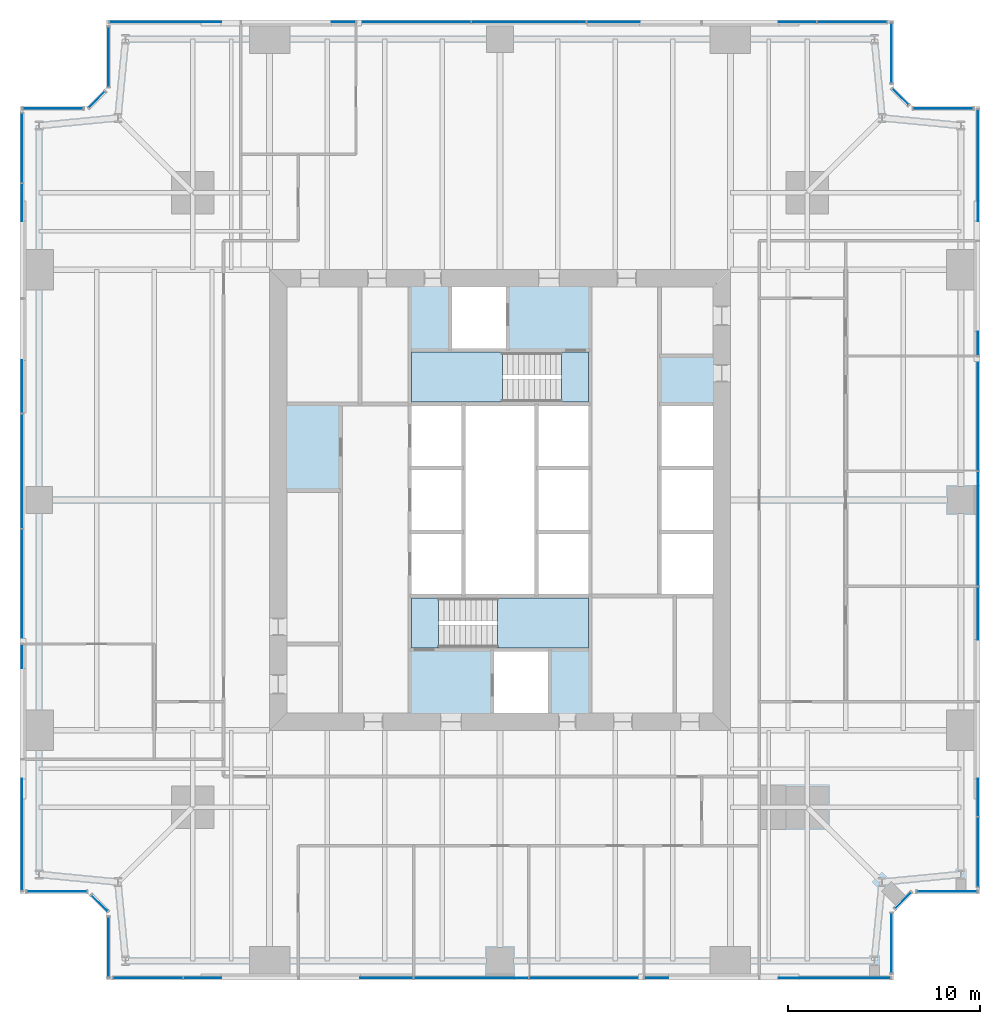
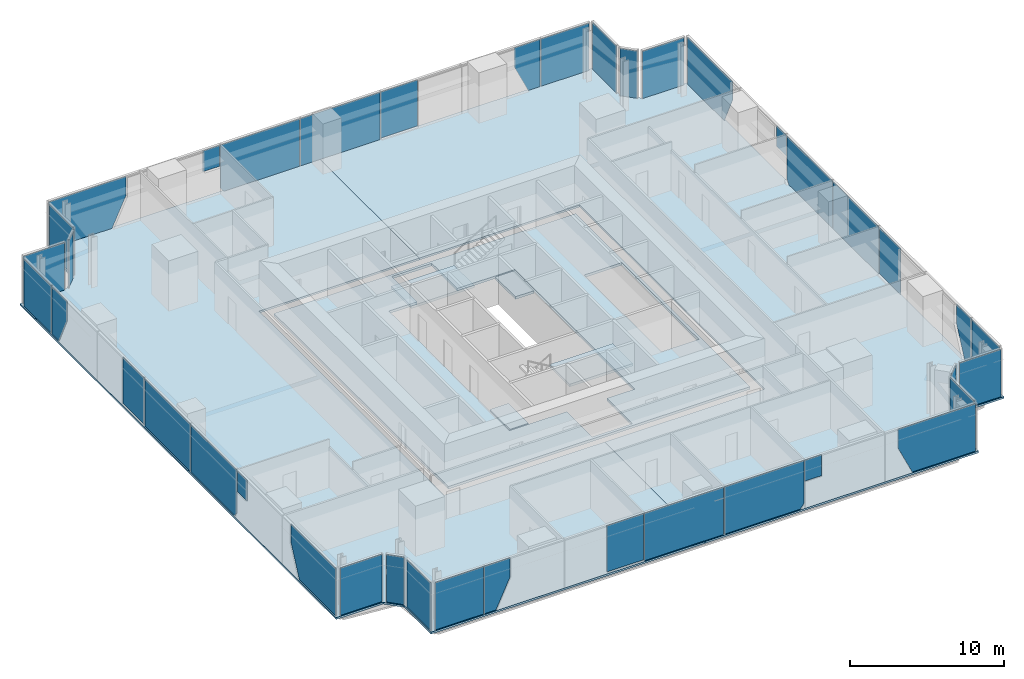
# One storey, part 8 of 13: 40 plates, 7 slabs, 18 elements without a shape of their own.
"""IFC4 building model written with IfcOpenShell, lengths in metres."""

from ifc_helpers import new_model, si_unit, direction, frame, origin, origin_2d, place, context, subcontext, project, spatial, polyline, rectangle, outline, extrude, material, layer, layer_set, type_object, element, aggregate, save


model = new_model("IFC4")

# Units and contexts
model_context = context("Model", 3, precision=1e-05, world=origin(), true_north=direction((0.0, 1.0)))
body_context = subcontext(model_context, "Body", "Model", "MODEL_VIEW")
ifc_project = project(units=[si_unit("LENGTHUNIT", "METRE"), si_unit("AREAUNIT", "SQUARE_METRE"), si_unit("VOLUMEUNIT", "CUBIC_METRE"), si_unit("PLANEANGLEUNIT", "RADIAN"), si_unit("MASSUNIT", "GRAM", prefix="KILO")], contexts=[model_context])

# Site, building, storey
site_placement = place(None, origin())
site = spatial("IfcSite", under=ifc_project, at=site_placement, CompositionType="ELEMENT")
building_placement = place(site_placement, origin())
building = spatial("IfcBuilding", under=site, at=building_placement, Name="Fenwick Lantern Interchange", CompositionType="ELEMENT")
storey_placement = place(building_placement, frame((0.0, 0.0, 126.39990234375)))
storey = spatial("IfcBuildingStorey", under=building, at=storey_placement, Name="L29", CompositionType="ELEMENT", Elevation=126.39990234375)

# Slabs
ifc_material_1 = material(Name="Concrete f'c 35 MPa", Category="concrete")
ifc_layer_1 = layer(ifc_material_1, 0.199951171875)
ifc_layer_set_1 = layer_set([ifc_layer_1], Name="CORE FLOOR SLAB 200")
slab_type_1 = type_object("IfcSlabType", Name="CORE FLOOR SLAB 200", PredefinedType="FLOOR", material=ifc_layer_set_1)
slab_1_placement = place(storey_placement, frame((0.0, 0.0, -0.199951171875)))
element("IfcSlab", 1, at=slab_1_placement, inside=storey, type_object=slab_type_1, Name="L29/SLAB/CORE", PredefinedType="FLOOR", context=body_context, shape_type="SweptSolid", body=[
    extrude(outline(polyline([(13.699951171875, 36.300048828125), (36.300048828125, 36.300048828125), (36.300048828125, 13.699951171875), (13.699951171875, 13.699951171875), (13.699951171875, 36.300048828125)]), holes=[polyline([(29.699951171875, 17.199951171875), (29.699951171875, 20.0), (29.699951171875, 23.333251953125), (29.699951171875, 26.666748046875), (29.699951171875, 30.0), (29.699951171875, 32.800048828125), (25.39990234375, 32.800048828125), (25.39990234375, 36.10009765625), (22.39990234375, 36.10009765625), (22.39990234375, 32.800048828125), (20.300048828125, 32.800048828125), (20.300048828125, 30.0), (20.300048828125, 26.666748046875), (20.300048828125, 23.333251953125), (20.300048828125, 20.0), (20.300048828125, 17.199951171875), (24.60009765625, 17.199951171875), (24.60009765625, 13.89990234375), (27.60009765625, 13.89990234375), (27.60009765625, 17.199951171875), (29.699951171875, 17.199951171875)]), polyline([(33.300048828125, 23.333251953125), (33.300048828125, 20.0), (36.10009765625, 20.0), (36.10009765625, 23.333251953125), (36.10009765625, 26.666748046875), (36.10009765625, 30.0), (33.300048828125, 30.0), (33.300048828125, 26.666748046875), (33.300048828125, 23.333251953125)])]), origin(), (0.0, 0.0, 1.0), 0.199951171875),
])
ifc_material_2 = material(Name="Concrete f'c 35 MPa", Category="concrete")
ifc_layer_2 = layer(ifc_material_2, 0.14990234375)
ifc_layer_set_2 = layer_set([ifc_layer_2], Name="Concrete f'c 35 MPa")
slab_type_2 = type_object("IfcSlabType", Name="FLOOR SLAB 150", PredefinedType="FLOOR", material=ifc_layer_set_2)
slab_2_placement = place(storey_placement, frame((0.0, 0.0, -0.14990234375)))
element("IfcSlab", 2, at=slab_2_placement, inside=storey, type_object=slab_type_2, Name="L29/SLAB/FW", PredefinedType="FLOOR", context=body_context, shape_type="SweptSolid", body=[
    extrude(outline(polyline([(4.5, 0.0), (4.5, 3.5), (3.5, 4.5), (0.0, 4.5), (0.0, 45.5), (3.5, 45.5), (4.5, 46.5), (4.5, 50.0), (25.0, 50.0), (25.0, 37.0), (13.0, 37.0), (13.0, 13.0), (25.0, 13.0), (25.0, 0.0), (4.5, 0.0)])), origin(), (0.0, 0.0, 1.0), 0.14990234375),
])
slab_3_placement = place(storey_placement, frame((0.0, 0.0, -0.14990234375)))
element("IfcSlab", 3, at=slab_3_placement, inside=storey, type_object=slab_type_2, Name="L29/SLAB/FE", PredefinedType="FLOOR", context=body_context, shape_type="SweptSolid", body=[
    extrude(outline(polyline([(45.5, 50.0), (45.5, 46.5), (46.5, 45.5), (50.0, 45.5), (50.0, 4.5), (46.5, 4.5), (45.5, 3.5), (45.5, 0.0), (25.0, 0.0), (25.0, 13.0), (37.0, 13.0), (37.0, 37.0), (25.0, 37.0), (25.0, 50.0), (45.5, 50.0)])), origin(), (0.0, 0.0, 1.0), 0.14990234375),
])

# Curtain wall, plates
ifc_material_3 = material(Name="Aluminium curtain wall frame", Category="aluminium")
curtain_wall_type = type_object("IfcCurtainWallType", Name="OFFICE CURTAIN WALL", PredefinedType="USERDEFINED", material=ifc_material_3)
curtain_wall_1_placement = place(storey_placement, origin())
curtain_wall_1 = element("IfcCurtainWall", 4, at=curtain_wall_1_placement, inside=storey, type_object=curtain_wall_type, Name="Office curtain wall 01", ObjectType="OFFICE CURTAIN WALL", PredefinedType="USERDEFINED")
ifc_material_4 = material(Name="Vision glass, clear low-iron double glazed", Category="glass")
ifc_layer_3 = layer(ifc_material_4, 0.031982421875)
ifc_layer_set_3 = layer_set([ifc_layer_3], Name="OFFICE CURTAIN WALL PANEL 32")
plate_type = type_object("IfcPlateType", Name="OFFICE CURTAIN WALL PANEL 32", PredefinedType="CURTAIN_PANEL", material=ifc_layer_set_3)
plate_1_placement = place(storey_placement, frame((6.666259765625, 0.10009765625, 0.0), z_axis=(0.0, 0.0, 1.0), x_axis=(1.0, 0.0, 0.0)))
plate_1 = element("IfcPlate", 5, at=plate_1_placement, type_object=plate_type, Name="L29/CW/01/P00", PredefinedType="CURTAIN_PANEL", context=body_context, shape_type="SweptSolid", body=[
    extrude(rectangle(XDim=3.6025390625, YDim=0.031982421875, at=origin_2d()), origin(), (0.0, 0.0, 1.0), 3.75),
])
plate_2_placement = place(storey_placement, frame((4.60009765625, 0.10009765625, 0.0), z_axis=(0.0, 0.0, 1.0), x_axis=(1.0, 0.0, 0.0)))
plate_2 = element("IfcPlate", 6, at=plate_2_placement, type_object=plate_type, Name="L29/CW/01/P01a", PredefinedType="CURTAIN_PANEL", context=body_context, shape_type="SweptSolid", body=[
    extrude(outline(polyline([(3.9326171875, 0.0), (4.821044921875, 0.0), (5.8798828125, 2.259033203125), (5.8798828125, 3.75), (3.9326171875, 3.75), (3.9326171875, 0.0)])), frame((0.0, 0.01611328125, 0.0), z_axis=(0.0, -1.0, 0.0), x_axis=(1.0, 0.0, 0.0)), (0.0, 0.0, 1.0), 0.031982421875),
])
plate_3_placement = place(storey_placement, frame((4.60009765625, 0.10009765625, 0.093994140625), z_axis=(0.0, 0.0, 1.0), x_axis=(1.0, 0.0, 0.0)))
plate_3 = element("IfcPlate", 7, at=plate_3_placement, type_object=plate_type, Name="L29/CW/01/P02a", PredefinedType="CURTAIN_PANEL", context=body_context, shape_type="SweptSolid", body=[
    extrude(outline(polyline([(13.125, 0.0), (15.867431640625, 0.0), (15.867431640625, 3.656005859375), (13.125, 3.656005859375), (13.125, 0.0)])), frame((0.0, 0.01611328125, 0.0), z_axis=(0.0, -1.0, 0.0), x_axis=(1.0, 0.0, 0.0)), (0.0, 0.0, 1.0), 0.031982421875),
])
plate_4_placement = place(storey_placement, frame((23.5, 0.10009765625, 0.0), z_axis=(0.0, 0.0, 1.0), x_axis=(1.0, 0.0, 0.0)))
plate_4 = element("IfcPlate", 8, at=plate_4_placement, type_object=plate_type, Name="L29/CW/01/P03", PredefinedType="CURTAIN_PANEL", context=body_context, shape_type="SweptSolid", body=[
    extrude(rectangle(XDim=5.93505859375, YDim=0.031982421875, at=origin_2d()), origin(), (0.0, 0.0, 1.0), 3.75),
])
plate_5_placement = place(storey_placement, frame((4.60009765625, 0.10009765625, 0.0), z_axis=(0.0, 0.0, 1.0), x_axis=(1.0, 0.0, 0.0)))
plate_5 = element("IfcPlate", 9, at=plate_5_placement, type_object=plate_type, Name="L29/CW/01/P04a", PredefinedType="CURTAIN_PANEL", context=body_context, shape_type="SweptSolid", body=[
    extrude(outline(polyline([(21.9326171875, 0.0), (27.6044921875, 0.0), (27.867431640625, 0.350830078125), (27.867431640625, 3.75), (21.9326171875, 3.75), (21.9326171875, 0.0)])), frame((0.0, 0.01611328125, 0.0), z_axis=(0.0, -1.0, 0.0), x_axis=(1.0, 0.0, 0.0)), (0.0, 0.0, 1.0), 0.031982421875),
])
plate_6_placement = place(storey_placement, frame((4.60009765625, 0.10009765625, 2.0908203125), z_axis=(0.0, 0.0, 1.0), x_axis=(1.0, 0.0, 0.0)))
plate_6 = element("IfcPlate", 10, at=plate_6_placement, type_object=plate_type, Name="L29/CW/01/P05a", PredefinedType="CURTAIN_PANEL", context=body_context, shape_type="SweptSolid", body=[
    extrude(outline(polyline([(27.9326171875, 0.0), (29.172607421875, 0.0), (29.172607421875, 1.6591796875), (27.9326171875, 1.6591796875), (27.9326171875, 0.0)])), frame((0.0, 0.01611328125, 0.0), z_axis=(0.0, -1.0, 0.0), x_axis=(1.0, 0.0, 0.0)), (0.0, 0.0, 1.0), 0.031982421875),
])
plate_7_placement = place(storey_placement, frame((4.60009765625, 0.10009765625, 0.0), z_axis=(0.0, 0.0, 1.0), x_axis=(1.0, 0.0, 0.0)))
plate_7 = element("IfcPlate", 11, at=plate_7_placement, type_object=plate_type, Name="L29/CW/01/P06a", PredefinedType="CURTAIN_PANEL", context=body_context, shape_type="SweptSolid", body=[
    extrude(outline(polyline([(35.978759765625, 0.0), (40.735107421875, 0.0), (40.735107421875, 3.75), (34.919921875, 3.75), (34.919921875, 2.259033203125), (35.978759765625, 0.0)])), frame((0.0, 0.01611328125, 0.0), z_axis=(0.0, -1.0, 0.0), x_axis=(1.0, 0.0, 0.0)), (0.0, 0.0, 1.0), 0.031982421875),
])
aggregate(curtain_wall_1, [plate_1, plate_2, plate_3, plate_4, plate_5, plate_6, plate_7])

# Curtain wall, plate
curtain_wall_2_placement = place(storey_placement, origin())
curtain_wall_2 = element("IfcCurtainWall", 12, at=curtain_wall_2_placement, inside=storey, type_object=curtain_wall_type, Name="Office curtain wall 02", ObjectType="OFFICE CURTAIN WALL", PredefinedType="USERDEFINED")
plate_8_placement = place(storey_placement, frame((45.39990234375, 1.920654296875, 0.0), z_axis=(0.0, 0.0, 1.0), x_axis=(0.0, 1.0, 0.0)))
plate_8 = element("IfcPlate", 13, at=plate_8_placement, type_object=plate_type, Name="L29/CW/02/P00", PredefinedType="CURTAIN_PANEL", context=body_context, shape_type="SweptSolid", body=[
    extrude(rectangle(XDim=3.111328125, YDim=0.031982421875, at=origin_2d()), origin(), (0.0, 0.0, 1.0), 3.75),
])
aggregate(curtain_wall_2, [plate_8])

curtain_wall_3_placement = place(storey_placement, origin())
curtain_wall_3 = element("IfcCurtainWall", 14, at=curtain_wall_3_placement, inside=storey, type_object=curtain_wall_type, Name="Office curtain wall 03", ObjectType="OFFICE CURTAIN WALL", PredefinedType="USERDEFINED")
plate_9_placement = place(storey_placement, frame((46.0, 4.141357421875, 0.0), z_axis=(0.0, 0.0, 1.0), x_axis=(0.707106781187, 0.707106781187, 0.0)))
plate_9 = element("IfcPlate", 15, at=plate_9_placement, type_object=plate_type, Name="L29/CW/03/P00", PredefinedType="CURTAIN_PANEL", context=body_context, shape_type="SweptSolid", body=[
    extrude(rectangle(XDim=1.1669921875, YDim=0.031982421875, at=origin_2d()), origin(), (0.0, 0.0, 1.0), 3.75),
])
aggregate(curtain_wall_3, [plate_9])

curtain_wall_4_placement = place(storey_placement, origin())
curtain_wall_4 = element("IfcCurtainWall", 16, at=curtain_wall_4_placement, inside=storey, type_object=curtain_wall_type, Name="Office curtain wall 04", ObjectType="OFFICE CURTAIN WALL", PredefinedType="USERDEFINED")
plate_10_placement = place(storey_placement, frame((48.279296875, 4.60009765625, 0.0), z_axis=(0.0, 0.0, 1.0), x_axis=(1.0, 0.0, 0.0)))
plate_10 = element("IfcPlate", 17, at=plate_10_placement, type_object=plate_type, Name="L29/CW/04/P00", PredefinedType="CURTAIN_PANEL", context=body_context, shape_type="SweptSolid", body=[
    extrude(rectangle(XDim=3.111328125, YDim=0.031982421875, at=origin_2d()), origin(), (0.0, 0.0, 1.0), 3.75),
])
aggregate(curtain_wall_4, [plate_10])

# Curtain wall, plates
curtain_wall_5_placement = place(storey_placement, origin())
curtain_wall_5 = element("IfcCurtainWall", 18, at=curtain_wall_5_placement, inside=storey, type_object=curtain_wall_type, Name="Office curtain wall 05", ObjectType="OFFICE CURTAIN WALL", PredefinedType="USERDEFINED")
plate_11_placement = place(storey_placement, frame((49.89990234375, 6.666259765625, 0.0), z_axis=(0.0, 0.0, 1.0), x_axis=(0.0, 1.0, 0.0)))
plate_11 = element("IfcPlate", 19, at=plate_11_placement, type_object=plate_type, Name="L29/CW/05/P00", PredefinedType="CURTAIN_PANEL", context=body_context, shape_type="SweptSolid", body=[
    extrude(rectangle(XDim=3.6025390625, YDim=0.031982421875, at=origin_2d()), origin(), (0.0, 0.0, 1.0), 3.75),
])
plate_12_placement = place(storey_placement, frame((49.89990234375, 4.60009765625, 0.0), z_axis=(0.0, 0.0, 1.0), x_axis=(0.0, 1.0, 0.0)))
plate_12 = element("IfcPlate", 20, at=plate_12_placement, type_object=plate_type, Name="L29/CW/05/P01a", PredefinedType="CURTAIN_PANEL", context=body_context, shape_type="SweptSolid", body=[
    extrude(outline(polyline([(3.9326171875, 0.0), (4.821044921875, 0.0), (5.8798828125, 2.259033203125), (5.8798828125, 3.75), (3.9326171875, 3.75), (3.9326171875, 0.0)])), frame((0.0, 0.01611328125, 0.0), z_axis=(0.0, -1.0, 0.0), x_axis=(1.0, 0.0, 0.0)), (0.0, 0.0, 1.0), 0.031982421875),
])
plate_13_placement = place(storey_placement, frame((49.89990234375, 4.60009765625, 0.093994140625), z_axis=(0.0, 0.0, 1.0), x_axis=(0.0, 1.0, 0.0)))
plate_13 = element("IfcPlate", 21, at=plate_13_placement, type_object=plate_type, Name="L29/CW/05/P02a", PredefinedType="CURTAIN_PANEL", context=body_context, shape_type="SweptSolid", body=[
    extrude(outline(polyline([(13.125, 0.0), (15.867431640625, 0.0), (15.867431640625, 3.656005859375), (13.125, 3.656005859375), (13.125, 0.0)])), frame((0.0, 0.01611328125, 0.0), z_axis=(0.0, -1.0, 0.0), x_axis=(1.0, 0.0, 0.0)), (0.0, 0.0, 1.0), 0.031982421875),
])
plate_14_placement = place(storey_placement, frame((49.89990234375, 23.5, 0.0), z_axis=(0.0, 0.0, 1.0), x_axis=(0.0, 1.0, 0.0)))
plate_14 = element("IfcPlate", 22, at=plate_14_placement, type_object=plate_type, Name="L29/CW/05/P03", PredefinedType="CURTAIN_PANEL", context=body_context, shape_type="SweptSolid", body=[
    extrude(rectangle(XDim=5.93505859375, YDim=0.031982421875, at=origin_2d()), origin(), (0.0, 0.0, 1.0), 3.75),
])
plate_15_placement = place(storey_placement, frame((49.89990234375, 4.60009765625, 0.0), z_axis=(0.0, 0.0, 1.0), x_axis=(0.0, 1.0, 0.0)))
plate_15 = element("IfcPlate", 23, at=plate_15_placement, type_object=plate_type, Name="L29/CW/05/P04a", PredefinedType="CURTAIN_PANEL", context=body_context, shape_type="SweptSolid", body=[
    extrude(outline(polyline([(21.9326171875, 0.0), (27.6044921875, 0.0), (27.867431640625, 0.350830078125), (27.867431640625, 3.75), (21.9326171875, 3.75), (21.9326171875, 0.0)])), frame((0.0, 0.01611328125, 0.0), z_axis=(0.0, -1.0, 0.0), x_axis=(1.0, 0.0, 0.0)), (0.0, 0.0, 1.0), 0.031982421875),
])
plate_16_placement = place(storey_placement, frame((49.89990234375, 4.60009765625, 2.0908203125), z_axis=(0.0, 0.0, 1.0), x_axis=(0.0, 1.0, 0.0)))
plate_16 = element("IfcPlate", 24, at=plate_16_placement, type_object=plate_type, Name="L29/CW/05/P05a", PredefinedType="CURTAIN_PANEL", context=body_context, shape_type="SweptSolid", body=[
    extrude(outline(polyline([(27.9326171875, 0.0), (29.172607421875, 0.0), (29.172607421875, 1.6591796875), (27.9326171875, 1.6591796875), (27.9326171875, 0.0)])), frame((0.0, 0.01611328125, 0.0), z_axis=(0.0, -1.0, 0.0), x_axis=(1.0, 0.0, 0.0)), (0.0, 0.0, 1.0), 0.031982421875),
])
plate_17_placement = place(storey_placement, frame((49.89990234375, 4.60009765625, 0.0), z_axis=(0.0, 0.0, 1.0), x_axis=(0.0, 1.0, 0.0)))
plate_17 = element("IfcPlate", 25, at=plate_17_placement, type_object=plate_type, Name="L29/CW/05/P06a", PredefinedType="CURTAIN_PANEL", context=body_context, shape_type="SweptSolid", body=[
    extrude(outline(polyline([(35.978759765625, 0.0), (40.735107421875, 0.0), (40.735107421875, 3.75), (34.919921875, 3.75), (34.919921875, 2.259033203125), (35.978759765625, 0.0)])), frame((0.0, 0.01611328125, 0.0), z_axis=(0.0, -1.0, 0.0), x_axis=(1.0, 0.0, 0.0)), (0.0, 0.0, 1.0), 0.031982421875),
])
aggregate(curtain_wall_5, [plate_11, plate_12, plate_13, plate_14, plate_15, plate_16, plate_17])

# Curtain wall, plate
curtain_wall_6_placement = place(storey_placement, origin())
curtain_wall_6 = element("IfcCurtainWall", 26, at=curtain_wall_6_placement, inside=storey, type_object=curtain_wall_type, Name="Office curtain wall 06", ObjectType="OFFICE CURTAIN WALL", PredefinedType="USERDEFINED")
plate_18_placement = place(storey_placement, frame((48.079345703125, 45.39990234375, 0.0), z_axis=(0.0, 0.0, 1.0), x_axis=(-1.0, 0.0, 0.0)))
plate_18 = element("IfcPlate", 27, at=plate_18_placement, type_object=plate_type, Name="L29/CW/06/P00", PredefinedType="CURTAIN_PANEL", context=body_context, shape_type="SweptSolid", body=[
    extrude(rectangle(XDim=3.111328125, YDim=0.031982421875, at=origin_2d()), origin(), (0.0, 0.0, 1.0), 3.75),
])
aggregate(curtain_wall_6, [plate_18])

curtain_wall_7_placement = place(storey_placement, origin())
curtain_wall_7 = element("IfcCurtainWall", 28, at=curtain_wall_7_placement, inside=storey, type_object=curtain_wall_type, Name="Office curtain wall 07", ObjectType="OFFICE CURTAIN WALL", PredefinedType="USERDEFINED")
plate_19_placement = place(storey_placement, frame((45.858642578125, 46.0, 0.0), z_axis=(0.0, 0.0, 1.0), x_axis=(-0.707106781187, 0.707106781187, 0.0)))
plate_19 = element("IfcPlate", 29, at=plate_19_placement, type_object=plate_type, Name="L29/CW/07/P00", PredefinedType="CURTAIN_PANEL", context=body_context, shape_type="SweptSolid", body=[
    extrude(rectangle(XDim=1.1669921875, YDim=0.031982421875, at=origin_2d()), origin(), (0.0, 0.0, 1.0), 3.75),
])
aggregate(curtain_wall_7, [plate_19])

curtain_wall_8_placement = place(storey_placement, origin())
curtain_wall_8 = element("IfcCurtainWall", 30, at=curtain_wall_8_placement, inside=storey, type_object=curtain_wall_type, Name="Office curtain wall 08", ObjectType="OFFICE CURTAIN WALL", PredefinedType="USERDEFINED")
plate_20_placement = place(storey_placement, frame((45.39990234375, 48.279296875, 0.0), z_axis=(0.0, 0.0, 1.0), x_axis=(0.0, 1.0, 0.0)))
plate_20 = element("IfcPlate", 31, at=plate_20_placement, type_object=plate_type, Name="L29/CW/08/P00", PredefinedType="CURTAIN_PANEL", context=body_context, shape_type="SweptSolid", body=[
    extrude(rectangle(XDim=3.111328125, YDim=0.031982421875, at=origin_2d()), origin(), (0.0, 0.0, 1.0), 3.75),
])
aggregate(curtain_wall_8, [plate_20])

# Curtain wall, plates
curtain_wall_9_placement = place(storey_placement, origin())
curtain_wall_9 = element("IfcCurtainWall", 32, at=curtain_wall_9_placement, inside=storey, type_object=curtain_wall_type, Name="Office curtain wall 09", ObjectType="OFFICE CURTAIN WALL", PredefinedType="USERDEFINED")
plate_21_placement = place(storey_placement, frame((43.333740234375, 49.89990234375, 0.0), z_axis=(0.0, 0.0, 1.0), x_axis=(-1.0, 0.0, 0.0)))
plate_21 = element("IfcPlate", 33, at=plate_21_placement, type_object=plate_type, Name="L29/CW/09/P00", PredefinedType="CURTAIN_PANEL", context=body_context, shape_type="SweptSolid", body=[
    extrude(rectangle(XDim=3.6025390625, YDim=0.031982421875, at=origin_2d()), origin(), (0.0, 0.0, 1.0), 3.75),
])
plate_22_placement = place(storey_placement, frame((45.39990234375, 49.89990234375, 0.0), z_axis=(0.0, 0.0, 1.0), x_axis=(-1.0, 0.0, 0.0)))
plate_22 = element("IfcPlate", 34, at=plate_22_placement, type_object=plate_type, Name="L29/CW/09/P01a", PredefinedType="CURTAIN_PANEL", context=body_context, shape_type="SweptSolid", body=[
    extrude(outline(polyline([(3.9326171875, 0.0), (4.821044921875, 0.0), (5.8798828125, 2.259033203125), (5.8798828125, 3.75), (3.9326171875, 3.75), (3.9326171875, 0.0)])), frame((0.0, 0.01611328125, 0.0), z_axis=(0.0, -1.0, 0.0), x_axis=(1.0, 0.0, 0.0)), (0.0, 0.0, 1.0), 0.031982421875),
])
plate_23_placement = place(storey_placement, frame((45.39990234375, 49.89990234375, 0.093994140625), z_axis=(0.0, 0.0, 1.0), x_axis=(-1.0, 0.0, 0.0)))
plate_23 = element("IfcPlate", 35, at=plate_23_placement, type_object=plate_type, Name="L29/CW/09/P02a", PredefinedType="CURTAIN_PANEL", context=body_context, shape_type="SweptSolid", body=[
    extrude(outline(polyline([(13.125, 0.0), (15.867431640625, 0.0), (15.867431640625, 3.656005859375), (13.125, 3.656005859375), (13.125, 0.0)])), frame((0.0, 0.01611328125, 0.0), z_axis=(0.0, -1.0, 0.0), x_axis=(1.0, 0.0, 0.0)), (0.0, 0.0, 1.0), 0.031982421875),
])
plate_24_placement = place(storey_placement, frame((26.5, 49.89990234375, 0.0), z_axis=(0.0, 0.0, 1.0), x_axis=(-1.0, 0.0, 0.0)))
plate_24 = element("IfcPlate", 36, at=plate_24_placement, type_object=plate_type, Name="L29/CW/09/P03", PredefinedType="CURTAIN_PANEL", context=body_context, shape_type="SweptSolid", body=[
    extrude(rectangle(XDim=5.93505859375, YDim=0.031982421875, at=origin_2d()), origin(), (0.0, 0.0, 1.0), 3.75),
])
plate_25_placement = place(storey_placement, frame((45.39990234375, 49.89990234375, 0.0), z_axis=(0.0, 0.0, 1.0), x_axis=(-1.0, 0.0, 0.0)))
plate_25 = element("IfcPlate", 37, at=plate_25_placement, type_object=plate_type, Name="L29/CW/09/P04a", PredefinedType="CURTAIN_PANEL", context=body_context, shape_type="SweptSolid", body=[
    extrude(outline(polyline([(21.9326171875, 0.0), (27.6044921875, 0.0), (27.867431640625, 0.350830078125), (27.867431640625, 3.75), (21.9326171875, 3.75), (21.9326171875, 0.0)])), frame((0.0, 0.01611328125, 0.0), z_axis=(0.0, -1.0, 0.0), x_axis=(1.0, 0.0, 0.0)), (0.0, 0.0, 1.0), 0.031982421875),
])
plate_26_placement = place(storey_placement, frame((45.39990234375, 49.89990234375, 2.0908203125), z_axis=(0.0, 0.0, 1.0), x_axis=(-1.0, 0.0, 0.0)))
plate_26 = element("IfcPlate", 38, at=plate_26_placement, type_object=plate_type, Name="L29/CW/09/P05a", PredefinedType="CURTAIN_PANEL", context=body_context, shape_type="SweptSolid", body=[
    extrude(outline(polyline([(27.9326171875, 0.0), (29.172607421875, 0.0), (29.172607421875, 1.6591796875), (27.9326171875, 1.6591796875), (27.9326171875, 0.0)])), frame((0.0, 0.01611328125, 0.0), z_axis=(0.0, -1.0, 0.0), x_axis=(1.0, 0.0, 0.0)), (0.0, 0.0, 1.0), 0.031982421875),
])
plate_27_placement = place(storey_placement, frame((45.39990234375, 49.89990234375, 0.0), z_axis=(0.0, 0.0, 1.0), x_axis=(-1.0, 0.0, 0.0)))
plate_27 = element("IfcPlate", 39, at=plate_27_placement, type_object=plate_type, Name="L29/CW/09/P06a", PredefinedType="CURTAIN_PANEL", context=body_context, shape_type="SweptSolid", body=[
    extrude(outline(polyline([(35.978759765625, 0.0), (40.735107421875, 0.0), (40.735107421875, 3.75), (34.919921875, 3.75), (34.919921875, 2.259033203125), (35.978759765625, 0.0)])), frame((0.0, 0.01611328125, 0.0), z_axis=(0.0, -1.0, 0.0), x_axis=(1.0, 0.0, 0.0)), (0.0, 0.0, 1.0), 0.031982421875),
])
aggregate(curtain_wall_9, [plate_21, plate_22, plate_23, plate_24, plate_25, plate_26, plate_27])

# Curtain wall, plate
curtain_wall_10_placement = place(storey_placement, origin())
curtain_wall_10 = element("IfcCurtainWall", 40, at=curtain_wall_10_placement, inside=storey, type_object=curtain_wall_type, Name="Office curtain wall 10", ObjectType="OFFICE CURTAIN WALL", PredefinedType="USERDEFINED")
plate_28_placement = place(storey_placement, frame((4.60009765625, 48.079345703125, 0.0), z_axis=(0.0, 0.0, 1.0), x_axis=(0.0, -1.0, 0.0)))
plate_28 = element("IfcPlate", 41, at=plate_28_placement, type_object=plate_type, Name="L29/CW/10/P00", PredefinedType="CURTAIN_PANEL", context=body_context, shape_type="SweptSolid", body=[
    extrude(rectangle(XDim=3.111328125, YDim=0.031982421875, at=origin_2d()), origin(), (0.0, 0.0, 1.0), 3.75),
])
aggregate(curtain_wall_10, [plate_28])

curtain_wall_11_placement = place(storey_placement, origin())
curtain_wall_11 = element("IfcCurtainWall", 42, at=curtain_wall_11_placement, inside=storey, type_object=curtain_wall_type, Name="Office curtain wall 11", ObjectType="OFFICE CURTAIN WALL", PredefinedType="USERDEFINED")
plate_29_placement = place(storey_placement, frame((4.0, 45.858642578125, 0.0), z_axis=(0.0, 0.0, 1.0), x_axis=(-0.707106781187, -0.707106781187, 0.0)))
plate_29 = element("IfcPlate", 43, at=plate_29_placement, type_object=plate_type, Name="L29/CW/11/P00", PredefinedType="CURTAIN_PANEL", context=body_context, shape_type="SweptSolid", body=[
    extrude(rectangle(XDim=1.1669921875, YDim=0.031982421875, at=origin_2d()), origin(), (0.0, 0.0, 1.0), 3.75),
])
aggregate(curtain_wall_11, [plate_29])

curtain_wall_12_placement = place(storey_placement, origin())
curtain_wall_12 = element("IfcCurtainWall", 44, at=curtain_wall_12_placement, inside=storey, type_object=curtain_wall_type, Name="Office curtain wall 12", ObjectType="OFFICE CURTAIN WALL", PredefinedType="USERDEFINED")
plate_30_placement = place(storey_placement, frame((1.720703125, 45.39990234375, 0.0), z_axis=(0.0, 0.0, 1.0), x_axis=(-1.0, 0.0, 0.0)))
plate_30 = element("IfcPlate", 45, at=plate_30_placement, type_object=plate_type, Name="L29/CW/12/P00", PredefinedType="CURTAIN_PANEL", context=body_context, shape_type="SweptSolid", body=[
    extrude(rectangle(XDim=3.111328125, YDim=0.031982421875, at=origin_2d()), origin(), (0.0, 0.0, 1.0), 3.75),
])
aggregate(curtain_wall_12, [plate_30])

# Curtain wall, plates
curtain_wall_13_placement = place(storey_placement, origin())
curtain_wall_13 = element("IfcCurtainWall", 46, at=curtain_wall_13_placement, inside=storey, type_object=curtain_wall_type, Name="Office curtain wall 13", ObjectType="OFFICE CURTAIN WALL", PredefinedType="USERDEFINED")
plate_31_placement = place(storey_placement, frame((0.10009765625, 43.333740234375, 0.0), z_axis=(0.0, 0.0, 1.0), x_axis=(0.0, -1.0, 0.0)))
plate_31 = element("IfcPlate", 47, at=plate_31_placement, type_object=plate_type, Name="L29/CW/13/P00", PredefinedType="CURTAIN_PANEL", context=body_context, shape_type="SweptSolid", body=[
    extrude(rectangle(XDim=3.6025390625, YDim=0.031982421875, at=origin_2d()), origin(), (0.0, 0.0, 1.0), 3.75),
])
plate_32_placement = place(storey_placement, frame((0.10009765625, 45.39990234375, 0.0), z_axis=(0.0, 0.0, 1.0), x_axis=(0.0, -1.0, 0.0)))
plate_32 = element("IfcPlate", 48, at=plate_32_placement, type_object=plate_type, Name="L29/CW/13/P01a", PredefinedType="CURTAIN_PANEL", context=body_context, shape_type="SweptSolid", body=[
    extrude(outline(polyline([(3.9326171875, 0.0), (4.821044921875, 0.0), (5.8798828125, 2.259033203125), (5.8798828125, 3.75), (3.9326171875, 3.75), (3.9326171875, 0.0)])), frame((0.0, 0.01611328125, 0.0), z_axis=(0.0, -1.0, 0.0), x_axis=(1.0, 0.0, 0.0)), (0.0, 0.0, 1.0), 0.031982421875),
])
plate_33_placement = place(storey_placement, frame((0.10009765625, 45.39990234375, 0.093994140625), z_axis=(0.0, 0.0, 1.0), x_axis=(0.0, -1.0, 0.0)))
plate_33 = element("IfcPlate", 49, at=plate_33_placement, type_object=plate_type, Name="L29/CW/13/P02a", PredefinedType="CURTAIN_PANEL", context=body_context, shape_type="SweptSolid", body=[
    extrude(outline(polyline([(13.125, 0.0), (15.867431640625, 0.0), (15.867431640625, 3.656005859375), (13.125, 3.656005859375), (13.125, 0.0)])), frame((0.0, 0.01611328125, 0.0), z_axis=(0.0, -1.0, 0.0), x_axis=(1.0, 0.0, 0.0)), (0.0, 0.0, 1.0), 0.031982421875),
])
plate_34_placement = place(storey_placement, frame((0.10009765625, 26.5, 0.0), z_axis=(0.0, 0.0, 1.0), x_axis=(0.0, -1.0, 0.0)))
plate_34 = element("IfcPlate", 50, at=plate_34_placement, type_object=plate_type, Name="L29/CW/13/P03", PredefinedType="CURTAIN_PANEL", context=body_context, shape_type="SweptSolid", body=[
    extrude(rectangle(XDim=5.93505859375, YDim=0.031982421875, at=origin_2d()), origin(), (0.0, 0.0, 1.0), 3.75),
])
plate_35_placement = place(storey_placement, frame((0.10009765625, 45.39990234375, 0.0), z_axis=(0.0, 0.0, 1.0), x_axis=(0.0, -1.0, 0.0)))
plate_35 = element("IfcPlate", 51, at=plate_35_placement, type_object=plate_type, Name="L29/CW/13/P04a", PredefinedType="CURTAIN_PANEL", context=body_context, shape_type="SweptSolid", body=[
    extrude(outline(polyline([(21.9326171875, 0.0), (27.6044921875, 0.0), (27.867431640625, 0.350830078125), (27.867431640625, 3.75), (21.9326171875, 3.75), (21.9326171875, 0.0)])), frame((0.0, 0.01611328125, 0.0), z_axis=(0.0, -1.0, 0.0), x_axis=(1.0, 0.0, 0.0)), (0.0, 0.0, 1.0), 0.031982421875),
])
plate_36_placement = place(storey_placement, frame((0.10009765625, 45.39990234375, 2.0908203125), z_axis=(0.0, 0.0, 1.0), x_axis=(0.0, -1.0, 0.0)))
plate_36 = element("IfcPlate", 52, at=plate_36_placement, type_object=plate_type, Name="L29/CW/13/P05a", PredefinedType="CURTAIN_PANEL", context=body_context, shape_type="SweptSolid", body=[
    extrude(outline(polyline([(27.9326171875, 0.0), (29.172607421875, 0.0), (29.172607421875, 1.6591796875), (27.9326171875, 1.6591796875), (27.9326171875, 0.0)])), frame((0.0, 0.01611328125, 0.0), z_axis=(0.0, -1.0, 0.0), x_axis=(1.0, 0.0, 0.0)), (0.0, 0.0, 1.0), 0.031982421875),
])
plate_37_placement = place(storey_placement, frame((0.10009765625, 45.39990234375, 0.0), z_axis=(0.0, 0.0, 1.0), x_axis=(0.0, -1.0, 0.0)))
plate_37 = element("IfcPlate", 53, at=plate_37_placement, type_object=plate_type, Name="L29/CW/13/P06a", PredefinedType="CURTAIN_PANEL", context=body_context, shape_type="SweptSolid", body=[
    extrude(outline(polyline([(35.978759765625, 0.0), (40.735107421875, 0.0), (40.735107421875, 3.75), (34.919921875, 3.75), (34.919921875, 2.259033203125), (35.978759765625, 0.0)])), frame((0.0, 0.01611328125, 0.0), z_axis=(0.0, -1.0, 0.0), x_axis=(1.0, 0.0, 0.0)), (0.0, 0.0, 1.0), 0.031982421875),
])
aggregate(curtain_wall_13, [plate_31, plate_32, plate_33, plate_34, plate_35, plate_36, plate_37])

# Curtain wall, plate
curtain_wall_14_placement = place(storey_placement, origin())
curtain_wall_14 = element("IfcCurtainWall", 54, at=curtain_wall_14_placement, inside=storey, type_object=curtain_wall_type, Name="Office curtain wall 14", ObjectType="OFFICE CURTAIN WALL", PredefinedType="USERDEFINED")
plate_38_placement = place(storey_placement, frame((1.920654296875, 4.60009765625, 0.0), z_axis=(0.0, 0.0, 1.0), x_axis=(1.0, 0.0, 0.0)))
plate_38 = element("IfcPlate", 55, at=plate_38_placement, type_object=plate_type, Name="L29/CW/14/P00", PredefinedType="CURTAIN_PANEL", context=body_context, shape_type="SweptSolid", body=[
    extrude(rectangle(XDim=3.111328125, YDim=0.031982421875, at=origin_2d()), origin(), (0.0, 0.0, 1.0), 3.75),
])
aggregate(curtain_wall_14, [plate_38])

curtain_wall_15_placement = place(storey_placement, origin())
curtain_wall_15 = element("IfcCurtainWall", 56, at=curtain_wall_15_placement, inside=storey, type_object=curtain_wall_type, Name="Office curtain wall 15", ObjectType="OFFICE CURTAIN WALL", PredefinedType="USERDEFINED")
plate_39_placement = place(storey_placement, frame((4.141357421875, 4.0, 0.0), z_axis=(0.0, 0.0, 1.0), x_axis=(0.707106781187, -0.707106781187, 0.0)))
plate_39 = element("IfcPlate", 57, at=plate_39_placement, type_object=plate_type, Name="L29/CW/15/P00", PredefinedType="CURTAIN_PANEL", context=body_context, shape_type="SweptSolid", body=[
    extrude(rectangle(XDim=1.1669921875, YDim=0.031982421875, at=origin_2d()), origin(), (0.0, 0.0, 1.0), 3.75),
])
aggregate(curtain_wall_15, [plate_39])

curtain_wall_16_placement = place(storey_placement, origin())
curtain_wall_16 = element("IfcCurtainWall", 58, at=curtain_wall_16_placement, inside=storey, type_object=curtain_wall_type, Name="Office curtain wall 16", ObjectType="OFFICE CURTAIN WALL", PredefinedType="USERDEFINED")
plate_40_placement = place(storey_placement, frame((4.60009765625, 1.720703125, 0.0), z_axis=(0.0, 0.0, 1.0), x_axis=(0.0, -1.0, 0.0)))
plate_40 = element("IfcPlate", 59, at=plate_40_placement, type_object=plate_type, Name="L29/CW/16/P00", PredefinedType="CURTAIN_PANEL", context=body_context, shape_type="SweptSolid", body=[
    extrude(rectangle(XDim=3.111328125, YDim=0.031982421875, at=origin_2d()), origin(), (0.0, 0.0, 1.0), 3.75),
])
aggregate(curtain_wall_16, [plate_40])

# Stair, slabs
ifc_material_5 = material(Name="Precast concrete f'c 35 MPa", Category="concrete")
stair_type = type_object("IfcStairType", Name="EXIT STAIR 1200", PredefinedType="HALF_TURN_STAIR", material=ifc_material_5)
stair_1_placement = place(storey_placement, origin())
stair_1 = element("IfcStair", 60, at=stair_1_placement, inside=storey, type_object=stair_type, Name="Exit stair ST1", PredefinedType="HALF_TURN_STAIR")
ifc_layer_4 = layer(ifc_material_1, 0.199951171875)
ifc_layer_set_4 = layer_set([ifc_layer_4], Name="STAIR LANDING 200")
slab_type_3 = type_object("IfcSlabType", Name="STAIR LANDING 200", PredefinedType="LANDING", material=ifc_layer_set_4)
slab_4_placement = place(storey_placement, frame((0.0, 0.0, 1.800048828125)))
slab_4 = element("IfcSlab", 61, at=slab_4_placement, type_object=slab_type_3, Name="ST1 landing 1", PredefinedType="LANDING", context=body_context, shape_type="SweptSolid", body=[
    extrude(outline(polyline([(24.8798828125, 17.300048828125), (29.60009765625, 17.300048828125), (29.60009765625, 19.89990234375), (24.8798828125, 19.89990234375), (24.8798828125, 17.300048828125)])), origin(), (0.0, 0.0, 1.0), 0.199951171875),
])
slab_5_placement = place(storey_placement, frame((0.0, 0.0, -0.199951171875)))
slab_5 = element("IfcSlab", 62, at=slab_5_placement, type_object=slab_type_3, Name="ST1 landing 2", PredefinedType="LANDING", context=body_context, shape_type="SweptSolid", body=[
    extrude(outline(polyline([(20.39990234375, 17.300048828125), (21.800048828125, 17.300048828125), (21.800048828125, 19.89990234375), (20.39990234375, 19.89990234375), (20.39990234375, 17.300048828125)])), origin(), (0.0, 0.0, 1.0), 0.199951171875),
])
aggregate(stair_1, [slab_4, slab_5])

stair_2_placement = place(storey_placement, origin())
stair_2 = element("IfcStair", 63, at=stair_2_placement, inside=storey, type_object=stair_type, Name="Exit stair ST2", PredefinedType="HALF_TURN_STAIR")
slab_6_placement = place(storey_placement, frame((0.0, 0.0, 1.800048828125)))
slab_6 = element("IfcSlab", 64, at=slab_6_placement, type_object=slab_type_3, Name="ST2 landing 1", PredefinedType="LANDING", context=body_context, shape_type="SweptSolid", body=[
    extrude(outline(polyline([(25.1201171875, 32.699951171875), (20.39990234375, 32.699951171875), (20.39990234375, 30.10009765625), (25.1201171875, 30.10009765625), (25.1201171875, 32.699951171875)])), origin(), (0.0, 0.0, 1.0), 0.199951171875),
])
slab_7_placement = place(storey_placement, frame((0.0, 0.0, -0.199951171875)))
slab_7 = element("IfcSlab", 65, at=slab_7_placement, type_object=slab_type_3, Name="ST2 landing 2", PredefinedType="LANDING", context=body_context, shape_type="SweptSolid", body=[
    extrude(outline(polyline([(29.60009765625, 32.699951171875), (28.199951171875, 32.699951171875), (28.199951171875, 30.10009765625), (29.60009765625, 30.10009765625), (29.60009765625, 32.699951171875)])), origin(), (0.0, 0.0, 1.0), 0.199951171875),
])
aggregate(stair_2, [slab_6, slab_7])

save(model, "model.ifc")
